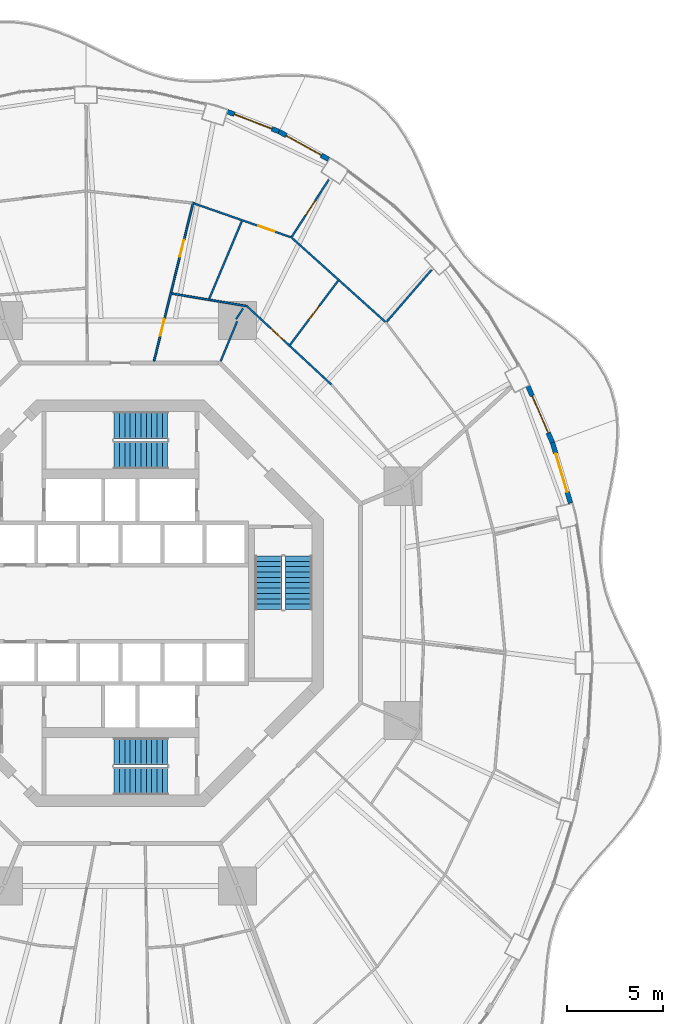
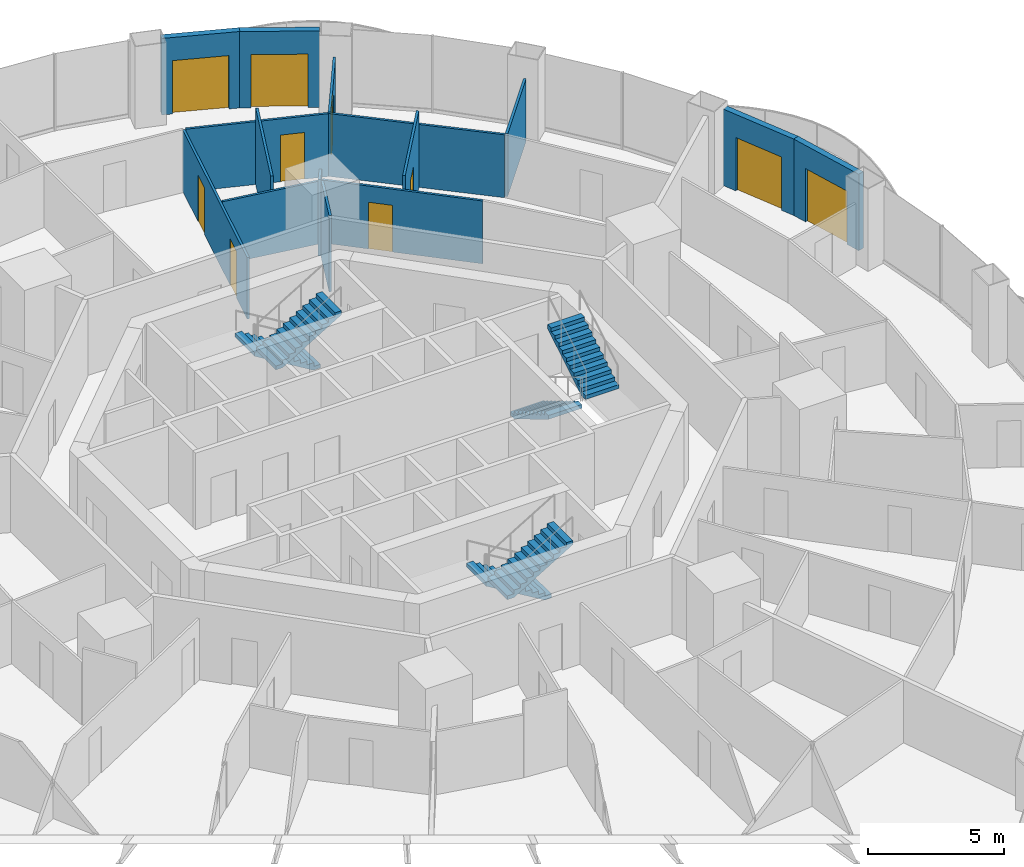
# One storey, part 17 of 20: 15 walls, 10 doors, 6 stair flights, 10 openings, 3 elements without a shape of their own.
"""IFC4 building model written with IfcOpenShell, lengths in metres."""

from ifc_helpers import new_model, si_unit, direction, frame, frame_2d, origin, place, context, subcontext, project, spatial, polyline, rectangle, outline, extrude, material, layer, layer_set, type_object, element, fill, aggregate, save


model = new_model("IFC4")

# Units and contexts
model_context = context("Model", 3, precision=1e-05, world=origin(), true_north=direction((0.0, 1.0)))
body_context = subcontext(model_context, "Body", "Model", "MODEL_VIEW")
ifc_project = project(units=[si_unit("LENGTHUNIT", "METRE"), si_unit("AREAUNIT", "SQUARE_METRE"), si_unit("VOLUMEUNIT", "CUBIC_METRE"), si_unit("PLANEANGLEUNIT", "RADIAN"), si_unit("MASSUNIT", "GRAM", prefix="KILO")], contexts=[model_context])

# Site, building, storey
site_placement = place(None, origin())
site = spatial("IfcSite", under=ifc_project, at=site_placement, CompositionType="ELEMENT")
building_placement = place(site_placement, origin())
building = spatial("IfcBuilding", under=site, at=building_placement, Name="Nagisa Residences", CompositionType="ELEMENT")
storey_placement = place(building_placement, frame((0.0, 0.0, 130.699951171875)))
storey = spatial("IfcBuildingStorey", under=building, at=storey_placement, Name="L32", CompositionType="ELEMENT", Elevation=130.699951171875)

# Wall, opening, door
ifc_material_1 = material(Name="Gypsum board on steel studs", Category="steel")
ifc_layer_1 = layer(ifc_material_1, 0.10009765625)
ifc_layer_set_1 = layer_set([ifc_layer_1], Name="Apartment partition 100")
wall_type_1 = type_object("IfcWallType", Name="Apartment partition 100", PredefinedType="PARTITIONING", material=ifc_layer_set_1)
wall_1_placement = place(storey_placement, frame((11.029052734375, 11.44287109375, 0.0), z_axis=(0.0, 0.0, 1.0), x_axis=(-0.733121281629, 0.680097924143, 0.0)))
wall_1 = element("IfcWall", 1, at=wall_1_placement, inside=storey, type_object=wall_type_1, Name="wall:L32:u28", PredefinedType="PARTITIONING", context=body_context, shape_type="SweptSolid", body=[
    extrude(rectangle(XDim=6.0732421875, YDim=0.10009765625, at=frame_2d((3.03662109375, 0.0))), origin(), (0.0, 0.0, 1.0), 2.828125),
])
opening_1_placement = place(wall_1_placement, frame((3.408447265625, 0.0, 0.0)))
opening_1 = element("IfcOpeningElement", 2, at=opening_1_placement, cuts=wall_1, Name="Opening L32-U53", PredefinedType="OPENING", context=body_context, shape_type="SweptSolid", body=[
    extrude(rectangle(XDim=0.89990234375, YDim=2.10009765625, at=frame_2d((0.449951171875, 1.050048828125))), frame((0.0, 0.06005859375, 0.0), z_axis=(0.0, -1.0, 0.0), x_axis=(1.0, 0.0, 0.0)), (0.0, 0.0, 1.0), 0.1201171875),
])
ifc_material_2 = material(Name="Timber door set", Category="wood")
door_type_1 = type_object("IfcDoorType", Name="Apartment door 900x2100", OperationType="NOTDEFINED", PredefinedType="DOOR", material=ifc_material_2)
door_1_placement = place(opening_1_placement, origin())
door_1 = element("IfcDoor", 3, at=door_1_placement, inside=storey, type_object=door_type_1, Name="Door to store, Apartment 32E", OperationType="SINGLE_SWING_LEFT", OverallHeight=2.10009765625, OverallWidth=0.89990234375, PredefinedType="DOOR", context=body_context, shape_type="SweptSolid", body=[
    extrude(rectangle(XDim=0.89990234375, YDim=2.10009765625, at=frame_2d((0.449951171875, 1.050048828125))), frame((0.0, 0.02490234375, 0.0), z_axis=(0.0, -1.0, 0.0), x_axis=(1.0, 0.0, 0.0)), (0.0, 0.0, 1.0), 0.050048828125),
])
fill(opening_1, door_1)

# Walls
wall_2_placement = place(storey_placement, frame((13.926025390625, 14.71875, 0.0), z_axis=(0.0, 0.0, 1.0), x_axis=(0.653831857253, 0.756639876323, 0.0)))
element("IfcWall", 4, at=wall_2_placement, inside=storey, type_object=wall_type_1, Name="wall:L32:u29", PredefinedType="PARTITIONING", context=body_context, shape_type="SweptSolid", body=[
    extrude(rectangle(XDim=3.59765625, YDim=0.10009765625, at=frame_2d((1.798828125, 0.0))), origin(), (0.0, 0.0, 1.0), 2.828125),
])
wall_3_placement = place(storey_placement, frame((13.856201171875, 14.71435546875, 0.0), z_axis=(0.0, 0.0, 1.0), x_axis=(-0.743793479211, 0.668409500444, 0.0)))
element("IfcWall", 5, at=wall_3_placement, inside=storey, type_object=wall_type_1, Name="wall:L32:u30", PredefinedType="PARTITIONING", context=body_context, shape_type="SweptSolid", body=[
    extrude(rectangle(XDim=6.65869140625, YDim=0.10009765625, at=frame_2d((3.329345703125, 0.0))), origin(), (0.0, 0.0, 1.0), 2.828125),
])

# Wall, opening, door
wall_4_placement = place(storey_placement, frame((8.86962890625, 13.513916015625, 0.0), z_axis=(0.0, 0.0, 1.0), x_axis=(0.600475102839, 0.79964345234, 0.0)))
wall_4 = element("IfcWall", 6, at=wall_4_placement, inside=storey, type_object=wall_type_1, Name="wall:L32:u31", PredefinedType="PARTITIONING", context=body_context, shape_type="SweptSolid", body=[
    extrude(rectangle(XDim=4.192138671875, YDim=0.10009765625, at=frame_2d((2.09619140625, 0.0))), origin(), (0.0, 0.0, 1.0), 3.43994140625),
])
opening_2_placement = place(wall_4_placement, frame((1.64599609375, 0.0, 0.0)))
opening_2 = element("IfcOpeningElement", 7, at=opening_2_placement, cuts=wall_4, Name="Opening L32-U54", PredefinedType="OPENING", context=body_context, shape_type="SweptSolid", body=[
    extrude(rectangle(XDim=0.89990234375, YDim=2.10009765625, at=frame_2d((0.449951171875, 1.050048828125))), frame((0.0, 0.06005859375, 0.0), z_axis=(0.0, -1.0, 0.0), x_axis=(1.0, 0.0, 0.0)), (0.0, 0.0, 1.0), 0.1201171875),
])
door_2_placement = place(opening_2_placement, frame((0.89990234375, 0.0, 0.0), x_axis=(-1.0, 0.0, 0.0)))
door_2 = element("IfcDoor", 8, at=door_2_placement, inside=storey, type_object=door_type_1, Name="Door to dining room, Apartment 32E", OperationType="SINGLE_SWING_LEFT", OverallHeight=2.10009765625, OverallWidth=0.89990234375, PredefinedType="DOOR", context=body_context, shape_type="SweptSolid", body=[
    extrude(rectangle(XDim=0.89990234375, YDim=2.10009765625, at=frame_2d((0.449951171875, 1.050048828125))), frame((0.0, 0.02490234375, 0.0), z_axis=(0.0, -1.0, 0.0), x_axis=(1.0, 0.0, 0.0)), (0.0, 0.0, 1.0), 0.050048828125),
])
fill(opening_2, door_2)

# Walls
wall_5_placement = place(storey_placement, frame((5.24267578125, 12.6572265625, 0.0), z_axis=(0.0, 0.0, 1.0), x_axis=(0.382719158442, 0.923864733477, 0.0)))
element("IfcWall", 9, at=wall_5_placement, inside=storey, type_object=wall_type_1, Name="wall:L32:u32", PredefinedType="PARTITIONING", context=body_context, shape_type="SweptSolid", body=[
    extrude(rectangle(XDim=2.25, YDim=0.10009765625, at=frame_2d((1.125, 0.0))), origin(), (0.0, 0.0, 1.0), 3.43994140625),
])
wall_6_placement = place(storey_placement, frame((6.56396484375, 15.54736328125, 0.0), z_axis=(0.0, 0.0, 1.0), x_axis=(-0.986269521186, 0.165143669511, 0.0)))
element("IfcWall", 10, at=wall_6_placement, inside=storey, type_object=wall_type_1, Name="wall:L32:u33", PredefinedType="PARTITIONING", context=body_context, shape_type="SweptSolid", body=[
    extrude(rectangle(XDim=3.933837890625, YDim=0.10009765625, at=frame_2d((1.966796875, 0.0))), origin(), (0.0, 0.0, 1.0), 2.828125),
])

# Wall, opening, door
wall_7_placement = place(storey_placement, frame((8.9677734375, 19.173583984375, 0.0), z_axis=(0.0, 0.0, 1.0), x_axis=(0.543713319379, 0.83927100887, 0.0)))
wall_7 = element("IfcWall", 11, at=wall_7_placement, inside=storey, type_object=wall_type_1, Name="wall:L32:u34", PredefinedType="PARTITIONING", context=body_context, shape_type="SweptSolid", body=[
    extrude(rectangle(XDim=3.548583984375, YDim=0.10009765625, at=frame_2d((1.7744140625, 0.0))), origin(), (0.0, 0.0, 1.0), 2.828125),
])
opening_3_placement = place(wall_7_placement, frame((1.32421875, 0.0, 0.0)))
opening_3 = element("IfcOpeningElement", 12, at=opening_3_placement, cuts=wall_7, Name="Opening L32-U52", PredefinedType="OPENING", context=body_context, shape_type="SweptSolid", body=[
    extrude(rectangle(XDim=0.89990234375, YDim=2.10009765625, at=frame_2d((0.449951171875, 1.050048828125))), frame((0.0, 0.06005859375, 0.0), z_axis=(0.0, -1.0, 0.0), x_axis=(1.0, 0.0, 0.0)), (0.0, 0.0, 1.0), 0.1201171875),
])
door_3_placement = place(opening_3_placement, frame((0.89990234375, 0.0, 0.0), x_axis=(-1.0, 0.0, 0.0)))
door_3 = element("IfcDoor", 13, at=door_3_placement, inside=storey, type_object=door_type_1, Name="Door to master bedroom, Apartment 32E", OperationType="SINGLE_SWING_LEFT", OverallHeight=2.10009765625, OverallWidth=0.89990234375, PredefinedType="DOOR", context=body_context, shape_type="SweptSolid", body=[
    extrude(rectangle(XDim=0.89990234375, YDim=2.10009765625, at=frame_2d((0.449951171875, 1.050048828125))), frame((0.0, 0.02490234375, 0.0), z_axis=(0.0, -1.0, 0.0), x_axis=(1.0, 0.0, 0.0)), (0.0, 0.0, 1.0), 0.050048828125),
])
fill(opening_3, door_3)

wall_8_placement = place(storey_placement, frame((8.8935546875, 19.14794921875, 0.0), z_axis=(0.0, 0.0, 1.0), x_axis=(-0.944182005381, 0.329424256414, 0.0)))
wall_8 = element("IfcWall", 14, at=wall_8_placement, inside=storey, type_object=wall_type_1, Name="wall:L32:u35", PredefinedType="PARTITIONING", context=body_context, shape_type="SweptSolid", body=[
    extrude(rectangle(XDim=5.343505859375, YDim=0.10009765625, at=frame_2d((2.671875, 0.0))), origin(), (0.0, 0.0, 1.0), 2.828125),
])
opening_4_placement = place(wall_8_placement, frame((0.8857421875, 0.0, 0.0)))
opening_4 = element("IfcOpeningElement", 15, at=opening_4_placement, cuts=wall_8, Name="Opening L32-U50", PredefinedType="OPENING", context=body_context, shape_type="SweptSolid", body=[
    extrude(rectangle(XDim=0.89990234375, YDim=2.10009765625, at=frame_2d((0.449951171875, 1.050048828125))), frame((0.0, 0.06005859375, 0.0), z_axis=(0.0, -1.0, 0.0), x_axis=(1.0, 0.0, 0.0)), (0.0, 0.0, 1.0), 0.1201171875),
])
door_4_placement = place(opening_4_placement, origin())
door_4 = element("IfcDoor", 16, at=door_4_placement, inside=storey, type_object=door_type_1, Name="Door to kitchen, Apartment 32E", OperationType="SINGLE_SWING_RIGHT", OverallHeight=2.10009765625, OverallWidth=0.89990234375, PredefinedType="DOOR", context=body_context, shape_type="SweptSolid", body=[
    extrude(rectangle(XDim=0.89990234375, YDim=2.10009765625, at=frame_2d((0.449951171875, 1.050048828125))), frame((0.0, 0.02490234375, 0.0), z_axis=(0.0, -1.0, 0.0), x_axis=(1.0, 0.0, 0.0)), (0.0, 0.0, 1.0), 0.050048828125),
])
fill(opening_4, door_4)

# Wall
wall_9_placement = place(storey_placement, frame((4.643310546875, 15.91845703125, 0.0), z_axis=(0.0, 0.0, 1.0), x_axis=(0.387539433367, 0.921853126906, 0.0)))
element("IfcWall", 17, at=wall_9_placement, inside=storey, type_object=wall_type_1, Name="wall:L32:u36", PredefinedType="PARTITIONING", context=body_context, shape_type="SweptSolid", body=[
    extrude(rectangle(XDim=4.407958984375, YDim=0.10009765625, at=frame_2d((2.2041015625, 0.0))), origin(), (0.0, 0.0, 1.0), 3.43994140625),
])

# Wall, openings, doors
wall_10_placement = place(storey_placement, frame((1.7587890625, 12.661865234375, 0.0), z_axis=(0.0, 0.0, 1.0), x_axis=(0.239964949221, 0.970781552743, 0.0)))
wall_10 = element("IfcWall", 18, at=wall_10_placement, inside=storey, type_object=wall_type_1, Name="wall:L32:u37", PredefinedType="PARTITIONING", context=body_context, shape_type="SweptSolid", body=[
    extrude(rectangle(XDim=8.5615234375, YDim=0.10009765625, at=frame_2d((4.28076171875, 0.0))), origin(), (0.0, 0.0, 1.0), 2.756103515625),
])
opening_5_placement = place(wall_10_placement, frame((1.375, 0.0, 0.0)))
opening_5 = element("IfcOpeningElement", 19, at=opening_5_placement, cuts=wall_10, Name="Opening L32-U45", PredefinedType="OPENING", context=body_context, shape_type="SweptSolid", body=[
    extrude(rectangle(XDim=0.89990234375, YDim=2.10009765625, at=frame_2d((0.449951171875, 1.050048828125))), frame((0.0, 0.06005859375, 0.0), z_axis=(0.0, -1.0, 0.0), x_axis=(1.0, 0.0, 0.0)), (0.0, 0.0, 1.0), 0.1201171875),
])
opening_6_placement = place(wall_10_placement, frame((5.630859375, 0.0, 0.0)))
opening_6 = element("IfcOpeningElement", 20, at=opening_6_placement, cuts=wall_10, Name="Opening L32-U47", PredefinedType="OPENING", context=body_context, shape_type="SweptSolid", body=[
    extrude(rectangle(XDim=0.89990234375, YDim=2.10009765625, at=frame_2d((0.449951171875, 1.050048828125))), frame((0.0, 0.06005859375, 0.0), z_axis=(0.0, -1.0, 0.0), x_axis=(1.0, 0.0, 0.0)), (0.0, 0.0, 1.0), 0.1201171875),
])
door_5_placement = place(opening_5_placement, frame((0.89990234375, 0.0, 0.0), x_axis=(-1.0, 0.0, 0.0)))
door_5 = element("IfcDoor", 21, at=door_5_placement, inside=storey, type_object=door_type_1, Name="Door to family bathroom, Apartment 32E", OperationType="SINGLE_SWING_RIGHT", OverallHeight=2.10009765625, OverallWidth=0.89990234375, PredefinedType="DOOR", context=body_context, shape_type="SweptSolid", body=[
    extrude(rectangle(XDim=0.89990234375, YDim=2.10009765625, at=frame_2d((0.449951171875, 1.050048828125))), frame((0.0, 0.02490234375, 0.0), z_axis=(0.0, -1.0, 0.0), x_axis=(1.0, 0.0, 0.0)), (0.0, 0.0, 1.0), 0.050048828125),
])
fill(opening_5, door_5)
door_6_placement = place(opening_6_placement, frame((0.89990234375, 0.0, 0.0), x_axis=(-1.0, 0.0, 0.0)))
door_6 = element("IfcDoor", 22, at=door_6_placement, inside=storey, type_object=door_type_1, Name="Door to family bathroom, Apartment 32E", OperationType="SINGLE_SWING_RIGHT", OverallHeight=2.10009765625, OverallWidth=0.89990234375, PredefinedType="DOOR", context=body_context, shape_type="SweptSolid", body=[
    extrude(rectangle(XDim=0.89990234375, YDim=2.10009765625, at=frame_2d((0.449951171875, 1.050048828125))), frame((0.0, 0.02490234375, 0.0), z_axis=(0.0, -1.0, 0.0), x_axis=(1.0, 0.0, 0.0)), (0.0, 0.0, 1.0), 0.050048828125),
])
fill(opening_6, door_6)

# Wall
wall_11_placement = place(storey_placement, frame((6.4169921875, 15.419921875, 0.0), z_axis=(0.0, 0.0, 1.0), x_axis=(-0.543777264953, -0.839229578911, 0.0)))
element("IfcWall", 23, at=wall_11_placement, inside=storey, type_object=wall_type_1, Name="wall:L32:u92", PredefinedType="PARTITIONING", context=body_context, shape_type="SweptSolid", body=[
    extrude(rectangle(XDim=0.67333984375, YDim=0.10009765625, at=frame_2d((0.336669921875, 0.0))), origin(), (0.0, 0.0, 1.0), 3.43994140625),
])

# Wall, opening, door
ifc_material_3 = material(Name="Precast concrete C40/50", Category="concrete")
ifc_layer_2 = layer(ifc_material_3, 0.25)
ifc_layer_set_2 = layer_set([ifc_layer_2], Name="BALCONY DOOR WALL 250")
wall_type_2 = type_object("IfcWallType", Name="BALCONY DOOR WALL 250", PredefinedType="SOLIDWALL", material=ifc_layer_set_2)
wall_12_placement = place(storey_placement, frame((22.595458984375, 8.401611328125, 0.0), z_axis=(0.0, 0.0, 1.0), x_axis=(0.285842038783, -0.958276749621, 0.0)))
wall_12 = element("IfcWall", 24, at=wall_12_placement, inside=storey, type_object=wall_type_2, Name="wall:L32:bay02", PredefinedType="SOLIDWALL", context=body_context, shape_type="SweptSolid", body=[
    extrude(rectangle(XDim=3.302734375, YDim=0.25, at=frame_2d((1.6513671875, 0.0))), origin(), (0.0, 0.0, 1.0), 3.43994140625),
])
opening_7_placement = place(wall_12_placement, frame((0.6015625, 0.0, 0.0)))
opening_7 = element("IfcOpeningElement", 25, at=opening_7_placement, cuts=wall_12, Name="Opening BD-L32-01", PredefinedType="OPENING", context=body_context, shape_type="SweptSolid", body=[
    extrude(rectangle(XDim=2.10009765625, YDim=2.39990234375, at=frame_2d((1.050048828125, 1.199951171875))), frame((0.0, 0.135009765625, 0.0), z_axis=(0.0, -1.0, 0.0), x_axis=(1.0, 0.0, 0.0)), (0.0, 0.0, 1.0), 0.27001953125),
])
ifc_material_4 = material(Name="Aluminium and clear glass", Category="aluminium")
door_type_2 = type_object("IfcDoorType", Name="BALCONY SLIDING DOOR 2100x2400", OperationType="SLIDING_TO_LEFT", PredefinedType="DOOR", material=ifc_material_4)
door_7_placement = place(opening_7_placement, origin())
door_7 = element("IfcDoor", 26, at=door_7_placement, inside=storey, type_object=door_type_2, Name="door:L32:bay02", OperationType="SLIDING_TO_LEFT", OverallHeight=2.39990234375, OverallWidth=2.10009765625, PredefinedType="DOOR", context=body_context, shape_type="SweptSolid", body=[
    extrude(rectangle(XDim=2.10009765625, YDim=2.39990234375, at=frame_2d((1.050048828125, 1.199951171875))), frame((0.0, 0.02490234375, 0.0), z_axis=(0.0, -1.0, 0.0), x_axis=(1.0, 0.0, 0.0)), (0.0, 0.0, 1.0), 0.050048828125),
])
fill(opening_7, door_7)

wall_13_placement = place(storey_placement, frame((21.303955078125, 11.379638671875, 0.0), z_axis=(0.0, 0.0, 1.0), x_axis=(0.397575919276, -0.917569282622, 0.0)))
wall_13 = element("IfcWall", 27, at=wall_13_placement, inside=storey, type_object=wall_type_2, Name="wall:L32:bay03", PredefinedType="SOLIDWALL", context=body_context, shape_type="SweptSolid", body=[
    extrude(rectangle(XDim=3.2607421875, YDim=0.25, at=frame_2d((1.63037109375, 0.0))), origin(), (0.0, 0.0, 1.0), 3.43994140625),
])
opening_8_placement = place(wall_13_placement, frame((0.580322265625, 0.0, 0.0)))
opening_8 = element("IfcOpeningElement", 28, at=opening_8_placement, cuts=wall_13, Name="Opening BD-L32-02", PredefinedType="OPENING", context=body_context, shape_type="SweptSolid", body=[
    extrude(rectangle(XDim=2.10009765625, YDim=2.39990234375, at=frame_2d((1.050048828125, 1.199951171875))), frame((0.0, 0.135009765625, 0.0), z_axis=(0.0, -1.0, 0.0), x_axis=(1.0, 0.0, 0.0)), (0.0, 0.0, 1.0), 0.27001953125),
])
door_8_placement = place(opening_8_placement, origin())
door_8 = element("IfcDoor", 29, at=door_8_placement, inside=storey, type_object=door_type_2, Name="door:L32:bay03", OperationType="SLIDING_TO_LEFT", OverallHeight=2.39990234375, OverallWidth=2.10009765625, PredefinedType="DOOR", context=body_context, shape_type="SweptSolid", body=[
    extrude(rectangle(XDim=2.10009765625, YDim=2.39990234375, at=frame_2d((1.050048828125, 1.199951171875))), frame((0.0, 0.02490234375, 0.0), z_axis=(0.0, -1.0, 0.0), x_axis=(1.0, 0.0, 0.0)), (0.0, 0.0, 1.0), 0.050048828125),
])
fill(opening_8, door_8)

wall_14_placement = place(storey_placement, frame((8.293212890625, 24.669921875, 0.0), z_axis=(0.0, 0.0, 1.0), x_axis=(0.87206688547, -0.489386705241, 0.0)))
wall_14 = element("IfcWall", 30, at=wall_14_placement, inside=storey, type_object=wall_type_2, Name="wall:L32:bay08", PredefinedType="SOLIDWALL", context=body_context, shape_type="SweptSolid", body=[
    extrude(rectangle(XDim=2.9697265625, YDim=0.25, at=frame_2d((1.48486328125, 0.0))), origin(), (0.0, 0.0, 1.0), 3.43994140625),
])
opening_9_placement = place(wall_14_placement, frame((0.434814453125, 0.0, 0.0)))
opening_9 = element("IfcOpeningElement", 31, at=opening_9_placement, cuts=wall_14, Name="Opening BD-L32-03", PredefinedType="OPENING", context=body_context, shape_type="SweptSolid", body=[
    extrude(rectangle(XDim=2.10009765625, YDim=2.39990234375, at=frame_2d((1.050048828125, 1.199951171875))), frame((0.0, 0.135009765625, 0.0), z_axis=(0.0, -1.0, 0.0), x_axis=(1.0, 0.0, 0.0)), (0.0, 0.0, 1.0), 0.27001953125),
])
door_9_placement = place(opening_9_placement, origin())
door_9 = element("IfcDoor", 32, at=door_9_placement, inside=storey, type_object=door_type_2, Name="door:L32:bay08", OperationType="SLIDING_TO_LEFT", OverallHeight=2.39990234375, OverallWidth=2.10009765625, PredefinedType="DOOR", context=body_context, shape_type="SweptSolid", body=[
    extrude(rectangle(XDim=2.10009765625, YDim=2.39990234375, at=frame_2d((1.050048828125, 1.199951171875))), frame((0.0, 0.02490234375, 0.0), z_axis=(0.0, -1.0, 0.0), x_axis=(1.0, 0.0, 0.0)), (0.0, 0.0, 1.0), 0.050048828125),
])
fill(opening_9, door_9)

wall_15_placement = place(storey_placement, frame((5.58251953125, 25.715576171875, 0.0), z_axis=(0.0, 0.0, 1.0), x_axis=(0.932845344347, -0.360277064952, 0.0)))
wall_15 = element("IfcWall", 33, at=wall_15_placement, inside=storey, type_object=wall_type_2, Name="wall:L32:bay09", PredefinedType="SOLIDWALL", context=body_context, shape_type="SweptSolid", body=[
    extrude(rectangle(XDim=2.92333984375, YDim=0.25, at=frame_2d((1.461669921875, 0.0))), origin(), (0.0, 0.0, 1.0), 3.43994140625),
])
opening_10_placement = place(wall_15_placement, frame((0.41162109375, 0.0, 0.0)))
opening_10 = element("IfcOpeningElement", 34, at=opening_10_placement, cuts=wall_15, Name="Opening BD-L32-04", PredefinedType="OPENING", context=body_context, shape_type="SweptSolid", body=[
    extrude(rectangle(XDim=2.10009765625, YDim=2.39990234375, at=frame_2d((1.050048828125, 1.199951171875))), frame((0.0, 0.135009765625, 0.0), z_axis=(0.0, -1.0, 0.0), x_axis=(1.0, 0.0, 0.0)), (0.0, 0.0, 1.0), 0.27001953125),
])
door_10_placement = place(opening_10_placement, origin())
door_10 = element("IfcDoor", 35, at=door_10_placement, inside=storey, type_object=door_type_2, Name="door:L32:bay09", OperationType="SLIDING_TO_LEFT", OverallHeight=2.39990234375, OverallWidth=2.10009765625, PredefinedType="DOOR", context=body_context, shape_type="SweptSolid", body=[
    extrude(rectangle(XDim=2.10009765625, YDim=2.39990234375, at=frame_2d((1.050048828125, 1.199951171875))), frame((0.0, 0.02490234375, 0.0), z_axis=(0.0, -1.0, 0.0), x_axis=(1.0, 0.0, 0.0)), (0.0, 0.0, 1.0), 0.050048828125),
])
fill(opening_10, door_10)

# Stair, stair flights
ifc_material_5 = material(Name="Concrete C60", Category="concrete")
stair_type = type_object("IfcStairType", Name="Exit stair", PredefinedType="HALF_TURN_STAIR", material=ifc_material_5)
stair_1_placement = place(storey_placement, origin())
stair_1 = element("IfcStair", 36, at=stair_1_placement, inside=storey, type_object=stair_type, Name="L32 Exit stair E", PredefinedType="HALF_TURN_STAIR")
ifc_material_6 = material(Name="Concrete C60", Category="concrete")
stair_flight_type = type_object("IfcStairFlightType", Name="Exit stair flight", PredefinedType="STRAIGHT", material=ifc_material_6)
stair_flight_1_placement = place(storey_placement, frame((7.737060546875, 2.47509765625, 0.0), z_axis=(0.0, 0.0, 1.0), x_axis=(0.0, -1.0, 0.0)))
stair_flight_1 = element("IfcStairFlight", 37, at=stair_flight_1_placement, type_object=stair_flight_type, Name="ST-E flight 1", NumberOfRisers=11, NumberOfTreads=10, PredefinedType="STRAIGHT", RiserHeight=0.168181818, TreadLength=0.28, context=body_context, shape_type="SweptSolid", body=[
    extrude(outline(polyline([(0.0, 0.0), (0.0, 0.168212890625), (0.280029296875, 0.168212890625), (0.280029296875, 0.33642578125), (0.56005859375, 0.33642578125), (0.56005859375, 0.504638671875), (0.840087890625, 0.504638671875), (0.840087890625, 0.672607421875), (1.1201171875, 0.672607421875), (1.1201171875, 0.8408203125), (1.39990234375, 0.8408203125), (1.39990234375, 1.009033203125), (1.679931640625, 1.009033203125), (1.679931640625, 1.17724609375), (1.9599609375, 1.17724609375), (1.9599609375, 1.345458984375), (2.239990234375, 1.345458984375), (2.239990234375, 1.513671875), (2.52001953125, 1.513671875), (2.52001953125, 1.681884765625), (2.800048828125, 1.681884765625), (2.800048828125, 1.85009765625), (2.800048828125, 1.5068359375), (0.291015625, 0.0), (0.0, 0.0)])), frame((0.0, 0.71240234375, 0.0), z_axis=(0.0, -1.0, 0.0), x_axis=(1.0, 0.0, 0.0)), (0.0, 0.0, 1.0), 1.425048828125),
])
stair_flight_2_placement = place(storey_placement, frame((9.31201171875, -0.324951171875, 1.85009765625), z_axis=(0.0, 0.0, 1.0), x_axis=(0.0, 1.0, 0.0)))
stair_flight_2 = element("IfcStairFlight", 38, at=stair_flight_2_placement, type_object=stair_flight_type, Name="ST-E flight 2", NumberOfRisers=11, NumberOfTreads=10, PredefinedType="STRAIGHT", RiserHeight=0.168181818, TreadLength=0.28, context=body_context, shape_type="SweptSolid", body=[
    extrude(outline(polyline([(0.0, 0.0), (0.0, 0.168212890625), (0.280029296875, 0.168212890625), (0.280029296875, 0.33642578125), (0.56005859375, 0.33642578125), (0.56005859375, 0.504638671875), (0.840087890625, 0.504638671875), (0.840087890625, 0.672607421875), (1.1201171875, 0.672607421875), (1.1201171875, 0.8408203125), (1.39990234375, 0.8408203125), (1.39990234375, 1.009033203125), (1.679931640625, 1.009033203125), (1.679931640625, 1.17724609375), (1.9599609375, 1.17724609375), (1.9599609375, 1.345458984375), (2.239990234375, 1.345458984375), (2.239990234375, 1.513671875), (2.52001953125, 1.513671875), (2.52001953125, 1.681884765625), (2.800048828125, 1.681884765625), (2.800048828125, 1.85009765625), (2.800048828125, 1.5068359375), (0.291015625, 0.0), (0.0, 0.0)])), frame((0.0, 0.71240234375, 0.0), z_axis=(0.0, -1.0, 0.0), x_axis=(1.0, 0.0, 0.0)), (0.0, 0.0, 1.0), 1.425048828125),
])
aggregate(stair_1, [stair_flight_1, stair_flight_2])

stair_2_placement = place(storey_placement, origin())
stair_2 = element("IfcStair", 39, at=stair_2_placement, inside=storey, type_object=stair_type, Name="L32 Exit stair N", PredefinedType="HALF_TURN_STAIR")
stair_flight_3_placement = place(storey_placement, frame((2.47509765625, 9.31201171875, 0.0), z_axis=(0.0, 0.0, 1.0), x_axis=(-1.0, 0.0, 0.0)))
stair_flight_3 = element("IfcStairFlight", 40, at=stair_flight_3_placement, type_object=stair_flight_type, Name="ST-N flight 1", NumberOfRisers=11, NumberOfTreads=10, PredefinedType="STRAIGHT", RiserHeight=0.168181818, TreadLength=0.28, context=body_context, shape_type="SweptSolid", body=[
    extrude(outline(polyline([(0.0, 0.0), (0.0, 0.168212890625), (0.280029296875, 0.168212890625), (0.280029296875, 0.33642578125), (0.56005859375, 0.33642578125), (0.56005859375, 0.504638671875), (0.840087890625, 0.504638671875), (0.840087890625, 0.672607421875), (1.1201171875, 0.672607421875), (1.1201171875, 0.8408203125), (1.39990234375, 0.8408203125), (1.39990234375, 1.009033203125), (1.679931640625, 1.009033203125), (1.679931640625, 1.17724609375), (1.9599609375, 1.17724609375), (1.9599609375, 1.345458984375), (2.239990234375, 1.345458984375), (2.239990234375, 1.513671875), (2.52001953125, 1.513671875), (2.52001953125, 1.681884765625), (2.800048828125, 1.681884765625), (2.800048828125, 1.85009765625), (2.800048828125, 1.5068359375), (0.291015625, 0.0), (0.0, 0.0)])), frame((0.0, 0.71240234375, 0.0), z_axis=(0.0, -1.0, 0.0), x_axis=(1.0, 0.0, 0.0)), (0.0, 0.0, 1.0), 1.425048828125),
])
stair_flight_4_placement = place(storey_placement, frame((-0.324951171875, 7.737060546875, 1.85009765625), z_axis=(0.0, 0.0, 1.0), x_axis=(1.0, 0.0, 0.0)))
stair_flight_4 = element("IfcStairFlight", 41, at=stair_flight_4_placement, type_object=stair_flight_type, Name="ST-N flight 2", NumberOfRisers=11, NumberOfTreads=10, PredefinedType="STRAIGHT", RiserHeight=0.168181818, TreadLength=0.28, context=body_context, shape_type="SweptSolid", body=[
    extrude(outline(polyline([(0.0, 0.0), (0.0, 0.168212890625), (0.280029296875, 0.168212890625), (0.280029296875, 0.33642578125), (0.56005859375, 0.33642578125), (0.56005859375, 0.504638671875), (0.840087890625, 0.504638671875), (0.840087890625, 0.672607421875), (1.1201171875, 0.672607421875), (1.1201171875, 0.8408203125), (1.39990234375, 0.8408203125), (1.39990234375, 1.009033203125), (1.679931640625, 1.009033203125), (1.679931640625, 1.17724609375), (1.9599609375, 1.17724609375), (1.9599609375, 1.345458984375), (2.239990234375, 1.345458984375), (2.239990234375, 1.513671875), (2.52001953125, 1.513671875), (2.52001953125, 1.681884765625), (2.800048828125, 1.681884765625), (2.800048828125, 1.85009765625), (2.800048828125, 1.5068359375), (0.291015625, 0.0), (0.0, 0.0)])), frame((0.0, 0.71240234375, 0.0), z_axis=(0.0, -1.0, 0.0), x_axis=(1.0, 0.0, 0.0)), (0.0, 0.0, 1.0), 1.425048828125),
])
aggregate(stair_2, [stair_flight_3, stair_flight_4])

stair_3_placement = place(storey_placement, origin())
stair_3 = element("IfcStair", 42, at=stair_3_placement, inside=storey, type_object=stair_type, Name="L32 Exit stair S", PredefinedType="HALF_TURN_STAIR")
stair_flight_5_placement = place(storey_placement, frame((2.47509765625, -7.737060546875, 0.0), z_axis=(0.0, 0.0, 1.0), x_axis=(-1.0, 0.0, 0.0)))
stair_flight_5 = element("IfcStairFlight", 43, at=stair_flight_5_placement, type_object=stair_flight_type, Name="ST-S flight 1", NumberOfRisers=11, NumberOfTreads=10, PredefinedType="STRAIGHT", RiserHeight=0.168181818, TreadLength=0.28, context=body_context, shape_type="SweptSolid", body=[
    extrude(outline(polyline([(0.0, 0.0), (0.0, 0.168212890625), (0.280029296875, 0.168212890625), (0.280029296875, 0.33642578125), (0.56005859375, 0.33642578125), (0.56005859375, 0.504638671875), (0.840087890625, 0.504638671875), (0.840087890625, 0.672607421875), (1.1201171875, 0.672607421875), (1.1201171875, 0.8408203125), (1.39990234375, 0.8408203125), (1.39990234375, 1.009033203125), (1.679931640625, 1.009033203125), (1.679931640625, 1.17724609375), (1.9599609375, 1.17724609375), (1.9599609375, 1.345458984375), (2.239990234375, 1.345458984375), (2.239990234375, 1.513671875), (2.52001953125, 1.513671875), (2.52001953125, 1.681884765625), (2.800048828125, 1.681884765625), (2.800048828125, 1.85009765625), (2.800048828125, 1.5068359375), (0.291015625, 0.0), (0.0, 0.0)])), frame((0.0, 0.71240234375, 0.0), z_axis=(0.0, -1.0, 0.0), x_axis=(1.0, 0.0, 0.0)), (0.0, 0.0, 1.0), 1.425048828125),
])
stair_flight_6_placement = place(storey_placement, frame((-0.324951171875, -9.31201171875, 1.85009765625), z_axis=(0.0, 0.0, 1.0), x_axis=(1.0, 0.0, 0.0)))
stair_flight_6 = element("IfcStairFlight", 44, at=stair_flight_6_placement, type_object=stair_flight_type, Name="ST-S flight 2", NumberOfRisers=11, NumberOfTreads=10, PredefinedType="STRAIGHT", RiserHeight=0.168181818, TreadLength=0.28, context=body_context, shape_type="SweptSolid", body=[
    extrude(outline(polyline([(0.0, 0.0), (0.0, 0.168212890625), (0.280029296875, 0.168212890625), (0.280029296875, 0.33642578125), (0.56005859375, 0.33642578125), (0.56005859375, 0.504638671875), (0.840087890625, 0.504638671875), (0.840087890625, 0.672607421875), (1.1201171875, 0.672607421875), (1.1201171875, 0.8408203125), (1.39990234375, 0.8408203125), (1.39990234375, 1.009033203125), (1.679931640625, 1.009033203125), (1.679931640625, 1.17724609375), (1.9599609375, 1.17724609375), (1.9599609375, 1.345458984375), (2.239990234375, 1.345458984375), (2.239990234375, 1.513671875), (2.52001953125, 1.513671875), (2.52001953125, 1.681884765625), (2.800048828125, 1.681884765625), (2.800048828125, 1.85009765625), (2.800048828125, 1.5068359375), (0.291015625, 0.0), (0.0, 0.0)])), frame((0.0, 0.71240234375, 0.0), z_axis=(0.0, -1.0, 0.0), x_axis=(1.0, 0.0, 0.0)), (0.0, 0.0, 1.0), 1.425048828125),
])
aggregate(stair_3, [stair_flight_5, stair_flight_6])

save(model, "model.ifc")
